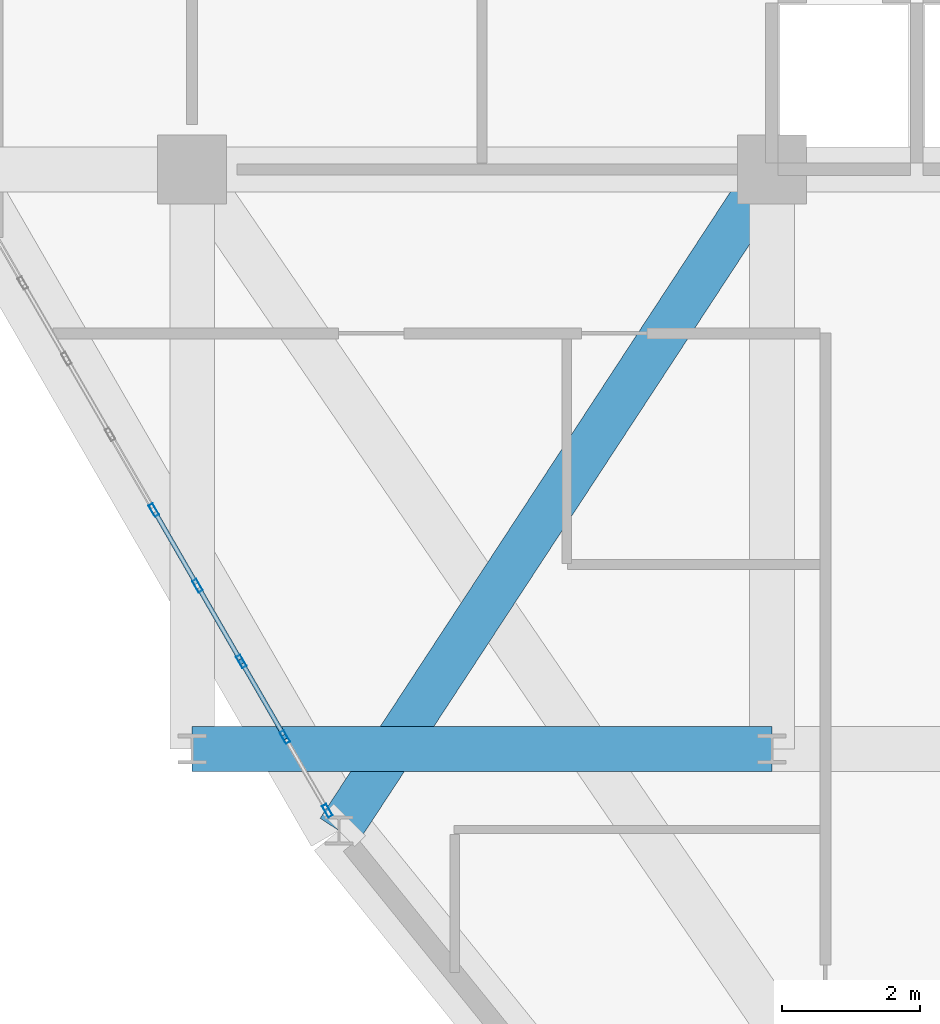
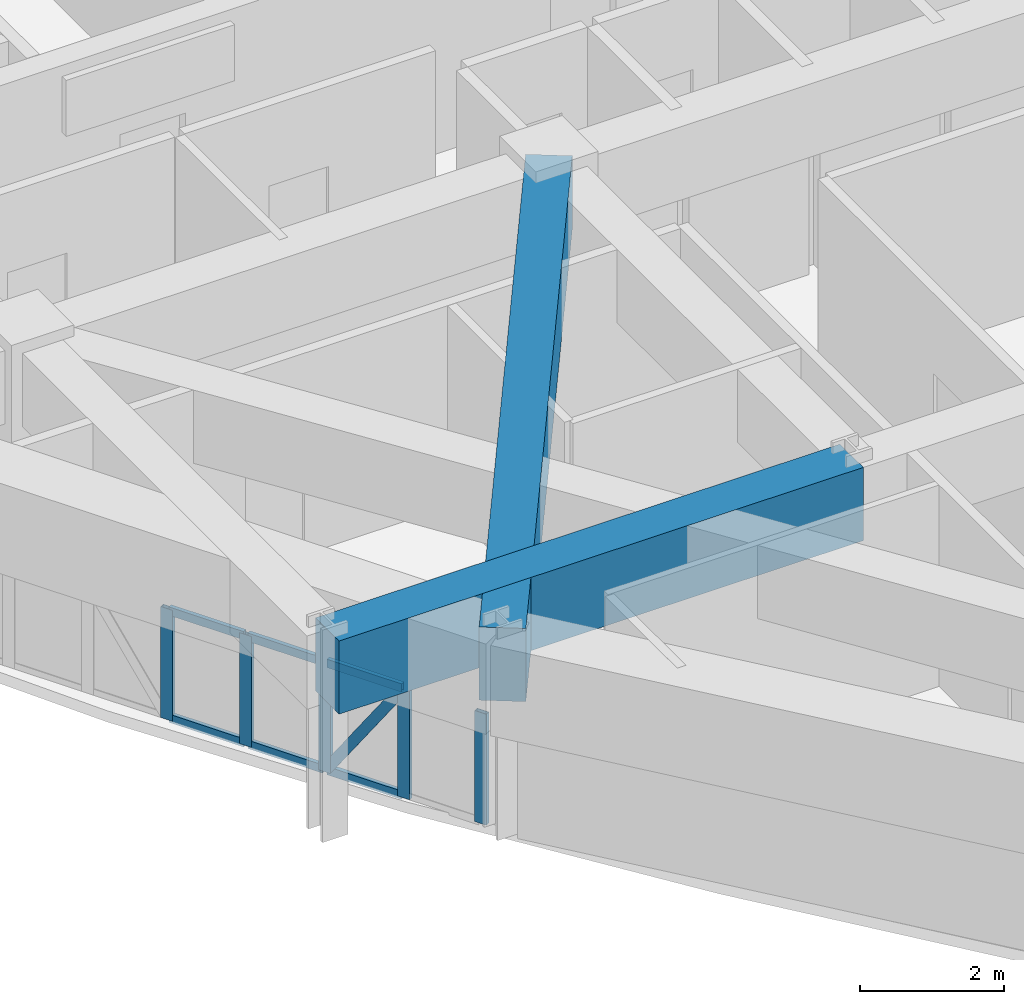
# One storey, part 2 of 16: 12 members, 2 beams, 1 element without a shape of its own.
"""IFC4 building model written with IfcOpenShell, lengths in metres."""

from ifc_helpers import new_model, si_unit, derived_unit, direction, frame, origin, origin_2d, place, context, subcontext, project, spatial, rectangle, hollow_rectangle, extrude, source, transform, mapped, material, layer, layer_set, material_profile, profile_set, type_object, element, aggregate, save


model = new_model("IFC4")

# Units and contexts
model_context = context("Model", 3, precision=1e-05, world=origin(), true_north=direction((0.0, 1.0)))
body_context = subcontext(model_context, "Body", "Model", "MODEL_VIEW")
ifc_project = project(units=[si_unit("LENGTHUNIT", "METRE"), si_unit("AREAUNIT", "SQUARE_METRE"), si_unit("VOLUMEUNIT", "CUBIC_METRE"), si_unit("PLANEANGLEUNIT", "RADIAN"), si_unit("MASSUNIT", "GRAM", prefix="KILO"), derived_unit("THERMALTRANSMITTANCEUNIT", [(si_unit("POWERUNIT", "WATT"), 1), (si_unit("LENGTHUNIT", "METRE"), -2), (si_unit("THERMODYNAMICTEMPERATUREUNIT", "KELVIN"), -1)])], contexts=[model_context])

# Site, building, storey
site_placement = place(None, origin())
site = spatial("IfcSite", under=ifc_project, at=site_placement, CompositionType="ELEMENT")
building_placement = place(site_placement, origin())
building = spatial("IfcBuilding", under=site, at=building_placement, Name="Korsvarv Bourse and Concert Hall", CompositionType="ELEMENT")
storey_placement = place(building_placement, frame((0.0, 0.0, 213.0)))
storey = spatial("IfcBuildingStorey", under=building, at=storey_placement, Name="L55", CompositionType="ELEMENT", Elevation=213.0)

# Beams
ifc_material_1 = material(Name="Concrete C50/60", Category="concrete")
ifc_material_profile_1 = material_profile(ifc_material_1, rectangle(XDim=0.64990234375, YDim=1.239990234375, at=origin_2d()), Name="RC-BM 650x1240")
ifc_profile_set_1 = profile_set([ifc_material_profile_1], Name="Concrete C50/60")
beam_type = type_object("IfcBeamType", Name="BM-TR-SPN", PredefinedType="BEAM", material=ifc_profile_set_1)
shared_shape_1 = source(origin(), body_context, "Body", "SweptSolid", [
    extrude(rectangle(XDim=0.64990234375, YDim=1.239990234375, at=origin_2d()), origin(), (0.0, 0.0, 1.0), 8.39990234375),
])
beam_1_placement = place(storey_placement, frame((27.60009765625, 24.0, 2.7900390625), z_axis=(1.0, 0.0, 0.0), x_axis=(0.0, 1.0, 0.0)))
element("IfcBeam", 1, at=beam_1_placement, inside=storey, type_object=beam_type, Name="L55 beam B-TRS", PredefinedType="BEAM", context=body_context, shape_type="MappedRepresentation", body=[
    mapped(shared_shape_1, transform((0.0, 0.0, 0.0), scale=1.0)),
])
shared_shape_2 = source(origin(), body_context, "Body", "SweptSolid", [
    extrude(rectangle(XDim=0.64990234375, YDim=1.239990234375, at=origin_2d()), origin(), (0.0, 0.0, 1.0), 11.4521484375),
])
beam_2_placement = place(storey_placement, frame((29.724853515625, 22.820068359375, 2.7900390625), z_axis=(0.547947046858, 0.836513020723, 0.0), x_axis=(-0.836513020723, 0.547947046858, 0.0)))
element("IfcBeam", 2, at=beam_2_placement, inside=storey, type_object=beam_type, Name="L55 beam B-TRS", PredefinedType="BEAM", context=body_context, shape_type="MappedRepresentation", body=[
    mapped(shared_shape_2, transform((0.0, 0.0, 0.0), scale=1.0)),
])

# Curtain wall, members
ifc_material_2 = material(Name="Anodised aluminium and triple low-E glazing", Category="glass")
ifc_layer = layer(ifc_material_2, 0.199951171875)
ifc_layer_set = layer_set([ifc_layer], Name="Anodised aluminium and triple low-E glazing")
curtain_wall_type = type_object("IfcCurtainWallType", Name="CW-SYS-3", PredefinedType="NOTDEFINED", material=ifc_layer_set)
curtain_wall_placement = place(storey_placement, origin())
curtain_wall = element("IfcCurtainWall", 3, at=curtain_wall_placement, inside=storey, type_object=curtain_wall_type, Name="L55 CW3 curtain wall CW-L55-F07-2", PredefinedType="NOTDEFINED")
ifc_material_3 = material(Name="Extruded aluminium EN AW-6063 T66", Category="aluminium")
ifc_material_profile_2 = material_profile(ifc_material_3, hollow_rectangle(XDim=0.070068359375, YDim=0.18994140625, WallThickness=0.0048828125, at=origin_2d()), Name="ALU-M 70x190")
ifc_profile_set_2 = profile_set([ifc_material_profile_2], Name="Extruded aluminium EN AW-6063 T66")
member_type_1 = type_object("IfcMemberType", Name="CWM-190", PredefinedType="MULLION", material=ifc_profile_set_2)
shared_shape_3 = source(origin(), body_context, "Body", "SweptSolid", [
    extrude(hollow_rectangle(XDim=0.070068359375, YDim=0.18994140625, WallThickness=0.0048828125, at=origin_2d()), origin(), (0.0, 0.0, 1.0), 1.8798828125),
])
member_1_placement = place(storey_placement, frame((27.043701171875, 27.464111328125, 0.0), z_axis=(0.0, 0.0, 1.0), x_axis=(0.866026111776, 0.49999877372, 0.0)))
member_1 = element("IfcMember", 4, at=member_1_placement, type_object=member_type_1, Name="CW3 mullion 5", PredefinedType="MULLION", context=body_context, shape_type="MappedRepresentation", body=[
    mapped(shared_shape_3, transform((0.0, 0.0, 0.0), scale=1.0)),
])
member_2_placement = place(storey_placement, frame((27.6767578125, 26.367431640625, 0.0), z_axis=(0.0, 0.0, 1.0), x_axis=(0.866026111776, 0.49999877372, 0.0)))
member_2 = element("IfcMember", 5, at=member_2_placement, type_object=member_type_1, Name="CW3 mullion 6", PredefinedType="MULLION", context=body_context, shape_type="MappedRepresentation", body=[
    mapped(shared_shape_3, transform((0.0, 0.0, 0.0), scale=1.0)),
])
member_3_placement = place(storey_placement, frame((28.309814453125, 25.27099609375, 0.0), z_axis=(0.0, 0.0, 1.0), x_axis=(0.866026111776, 0.49999877372, 0.0)))
member_3 = element("IfcMember", 6, at=member_3_placement, type_object=member_type_1, Name="CW3 mullion 7", PredefinedType="MULLION", context=body_context, shape_type="MappedRepresentation", body=[
    mapped(shared_shape_3, transform((0.0, 0.0, 0.0), scale=1.0)),
])
member_4_placement = place(storey_placement, frame((28.94287109375, 24.174560546875, 0.0), z_axis=(0.0, 0.0, 1.0), x_axis=(0.866026111776, 0.49999877372, 0.0)))
member_4 = element("IfcMember", 7, at=member_4_placement, type_object=member_type_1, Name="CW3 mullion 8", PredefinedType="MULLION", context=body_context, shape_type="MappedRepresentation", body=[
    mapped(shared_shape_3, transform((0.0, 0.0, 0.0), scale=1.0)),
])
member_5_placement = place(storey_placement, frame((29.558349609375, 23.1083984375, 0.0), z_axis=(0.0, 0.0, 1.0), x_axis=(0.866026111776, 0.49999877372, 0.0)))
member_5 = element("IfcMember", 8, at=member_5_placement, type_object=member_type_1, Name="CW3 mullion 9", PredefinedType="MULLION", context=body_context, shape_type="MappedRepresentation", body=[
    mapped(shared_shape_3, transform((0.0, 0.0, 0.0), scale=1.0)),
])
ifc_material_profile_3 = material_profile(ifc_material_3, hollow_rectangle(XDim=0.06494140625, YDim=0.139892578125, WallThickness=0.00390625, at=origin_2d()), Name="ALU-T 65x140")
ifc_profile_set_3 = profile_set([ifc_material_profile_3], Name="Extruded aluminium EN AW-6063 T66")
member_type_2 = type_object("IfcMemberType", Name="CWT-140", PredefinedType="USERDEFINED", material=ifc_profile_set_3)
shared_shape_4 = source(origin(), body_context, "Body", "SweptSolid", [
    extrude(hollow_rectangle(XDim=0.06494140625, YDim=0.139892578125, WallThickness=0.00390625, at=origin_2d()), origin(), (0.0, 0.0, 1.0), 1.1962890625),
])
member_6_placement = place(storey_placement, frame((27.06103515625, 27.43359375, 0.032470703125), z_axis=(0.500046351717, -0.865998640954, 0.0), x_axis=(0.865998640954, 0.500046351717, 0.0)))
member_6 = element("IfcMember", 9, at=member_6_placement, type_object=member_type_2, Name="CW3 transom 5.1", ObjectType="TRANSOM", PredefinedType="USERDEFINED", context=body_context, shape_type="MappedRepresentation", body=[
    mapped(shared_shape_4, transform((0.0, 0.0, 0.0), scale=1.0)),
])
member_7_placement = place(storey_placement, frame((27.06103515625, 27.43359375, 1.847412109375), z_axis=(0.500046351717, -0.865998640954, 0.0), x_axis=(0.865998640954, 0.500046351717, 0.0)))
member_7 = element("IfcMember", 10, at=member_7_placement, type_object=member_type_2, Name="CW3 transom 5.2", ObjectType="TRANSOM", PredefinedType="USERDEFINED", context=body_context, shape_type="MappedRepresentation", body=[
    mapped(shared_shape_4, transform((0.0, 0.0, 0.0), scale=1.0)),
])
member_8_placement = place(storey_placement, frame((27.694091796875, 26.337158203125, 0.032470703125), z_axis=(0.500046351717, -0.865998640954, 0.0), x_axis=(0.865998640954, 0.500046351717, 0.0)))
member_8 = element("IfcMember", 11, at=member_8_placement, type_object=member_type_2, Name="CW3 transom 6.1", ObjectType="TRANSOM", PredefinedType="USERDEFINED", context=body_context, shape_type="MappedRepresentation", body=[
    mapped(shared_shape_4, transform((0.0, 0.0, 0.0), scale=1.0)),
])
member_9_placement = place(storey_placement, frame((27.694091796875, 26.337158203125, 1.847412109375), z_axis=(0.500046351717, -0.865998640954, 0.0), x_axis=(0.865998640954, 0.500046351717, 0.0)))
member_9 = element("IfcMember", 12, at=member_9_placement, type_object=member_type_2, Name="CW3 transom 6.2", ObjectType="TRANSOM", PredefinedType="USERDEFINED", context=body_context, shape_type="MappedRepresentation", body=[
    mapped(shared_shape_4, transform((0.0, 0.0, 0.0), scale=1.0)),
])
ifc_material_profile_4 = material_profile(ifc_material_3, hollow_rectangle(XDim=0.06494140625, YDim=0.1650390625, WallThickness=0.0048828125, at=origin_2d()), Name="ALU-M 65x165")
ifc_profile_set_4 = profile_set([ifc_material_profile_4], Name="Extruded aluminium EN AW-6063 T66")
member_type_3 = type_object("IfcMemberType", Name="CWM-165", PredefinedType="MULLION", material=ifc_profile_set_4)
shared_shape_5 = source(origin(), body_context, "Body", "SweptSolid", [
    extrude(hollow_rectangle(XDim=0.06494140625, YDim=0.1650390625, WallThickness=0.0048828125, at=origin_2d()), origin(), (0.0, 0.0, 1.0), 2.11962890625),
])
member_10_placement = place(storey_placement, frame((28.327392578125, 25.24072265625, 0.06494140625), z_axis=(0.282070845841, -0.488700122051, 0.82559568109), x_axis=(0.866087020037, 0.499893262331, 0.0)))
member_10 = element("IfcMember", 13, at=member_10_placement, type_object=member_type_3, Name="CW3 diagonal mullion 7", PredefinedType="MULLION", context=body_context, shape_type="MappedRepresentation", body=[
    mapped(shared_shape_5, transform((0.0, 0.0, 0.0), scale=1.0)),
])
shared_shape_6 = source(origin(), body_context, "Body", "SweptSolid", [
    extrude(hollow_rectangle(XDim=0.06494140625, YDim=0.139892578125, WallThickness=0.00390625, at=origin_2d()), origin(), (0.0, 0.0, 1.0), 1.196044921875),
])
member_11_placement = place(storey_placement, frame((28.327392578125, 25.24072265625, 0.032470703125), z_axis=(0.499893262331, -0.866087020037, 0.0), x_axis=(0.866087020037, 0.499893262331, 0.0)))
member_11 = element("IfcMember", 14, at=member_11_placement, type_object=member_type_2, Name="CW3 transom 7.1", ObjectType="TRANSOM", PredefinedType="USERDEFINED", context=body_context, shape_type="MappedRepresentation", body=[
    mapped(shared_shape_6, transform((0.0, 0.0, 0.0), scale=1.0)),
])
member_12_placement = place(storey_placement, frame((28.327392578125, 25.24072265625, 1.847412109375), z_axis=(0.499893262331, -0.866087020037, 0.0), x_axis=(0.866087020037, 0.499893262331, 0.0)))
member_12 = element("IfcMember", 15, at=member_12_placement, type_object=member_type_2, Name="CW3 transom 7.2", ObjectType="TRANSOM", PredefinedType="USERDEFINED", context=body_context, shape_type="MappedRepresentation", body=[
    mapped(shared_shape_6, transform((0.0, 0.0, 0.0), scale=1.0)),
])
aggregate(curtain_wall, [member_1, member_2, member_3, member_4, member_5, member_6, member_7, member_8, member_9, member_11, member_12, member_10])

save(model, "model.ifc")
